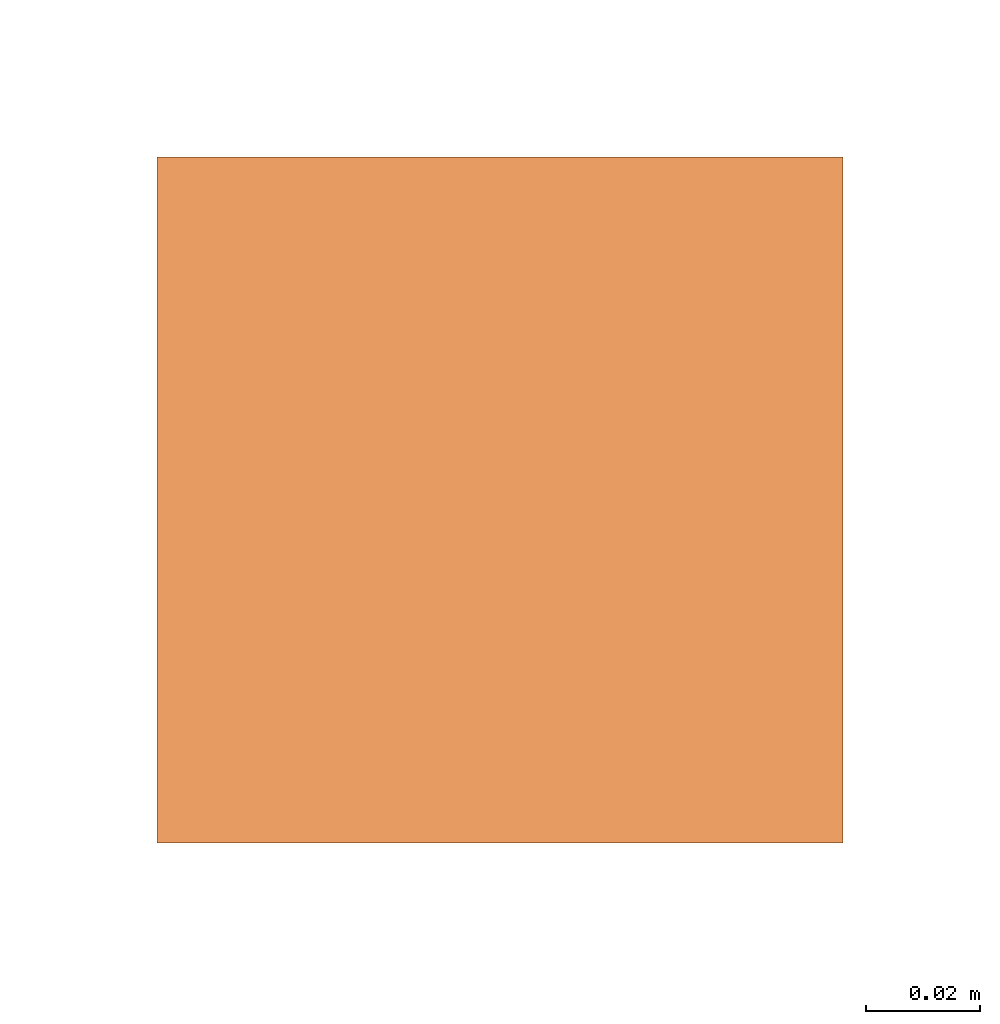
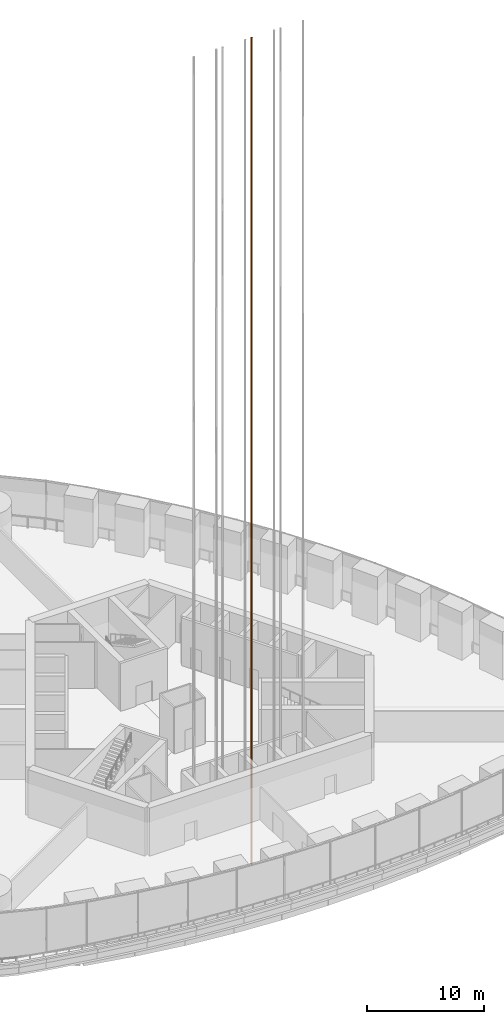
# One storey, part 28 of 31: 1 proxy.
"""IFC4 building model written with IfcOpenShell, lengths in metres."""

from ifc_helpers import new_model, si_unit, direction, frame, origin, origin_2d, place, context, subcontext, project, spatial, rectangle, extrude, element, save


model = new_model("IFC4")

# Units and contexts
model_context = context("Model", 3, precision=1e-05, world=origin(), true_north=direction((0.0, 1.0)))
body_context = subcontext(model_context, "Body", "Model", "MODEL_VIEW")
ifc_project = project(units=[si_unit("LENGTHUNIT", "METRE"), si_unit("AREAUNIT", "SQUARE_METRE"), si_unit("VOLUMEUNIT", "CUBIC_METRE"), si_unit("PLANEANGLEUNIT", "RADIAN"), si_unit("MASSUNIT", "GRAM", prefix="KILO")], contexts=[model_context])

# Site, building, storey
site_placement = place(None, origin())
site = spatial("IfcSite", under=ifc_project, at=site_placement, CompositionType="ELEMENT")
building_placement = place(site_placement, origin())
building = spatial("IfcBuilding", under=site, at=building_placement, Name="Trefoil Bronze Tower", CompositionType="ELEMENT")
storey_placement = place(building_placement, frame((0.0, 0.0, 184.699951171875)))
storey = spatial("IfcBuildingStorey", under=building, at=storey_placement, Name="L42", CompositionType="ELEMENT", Elevation=184.699951171875)

# Proxy
proxy_placement = place(storey_placement, frame((0.31494140625, -11.3125, -6.0), z_axis=(0.0, 0.0, 1.0), x_axis=(1.0, 0.0, 0.0)))
element("IfcBuildingElementProxy", 1, at=proxy_placement, inside=storey, Name="Lift P33 guide rail 1", ObjectType="LIFT GUIDE RAIL", PredefinedType="USERDEFINED", context=body_context, shape_type="SweptSolid", body=[
    extrude(rectangle(XDim=0.1201171875, YDim=0.1201171875, at=origin_2d()), origin(), (0.0, 0.0, 1.0), 86.25),
])

save(model, "model.ifc")
